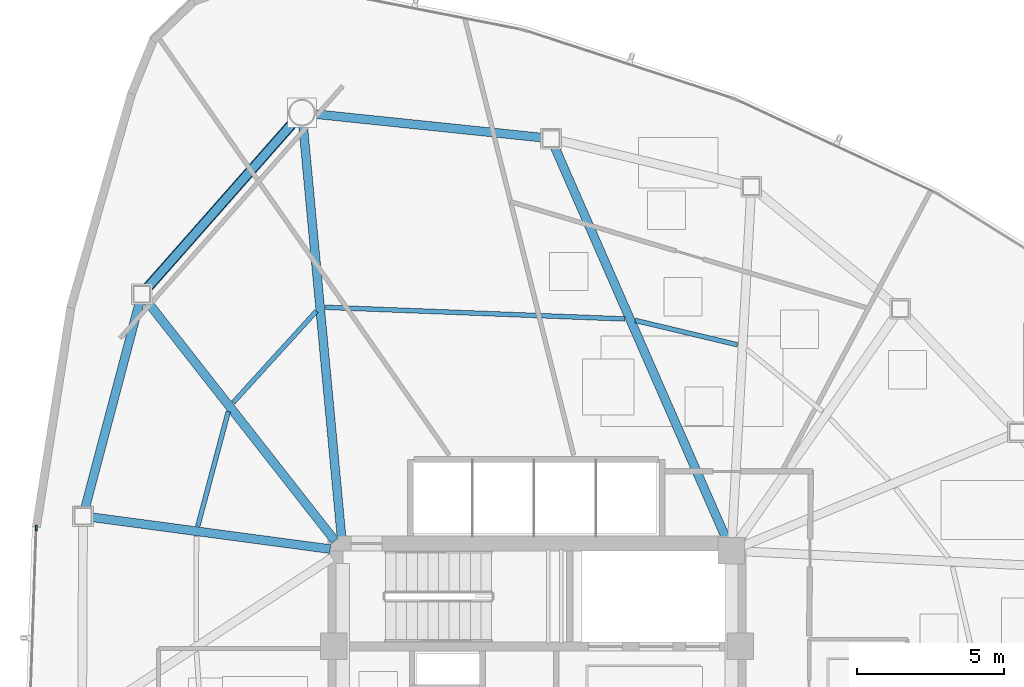
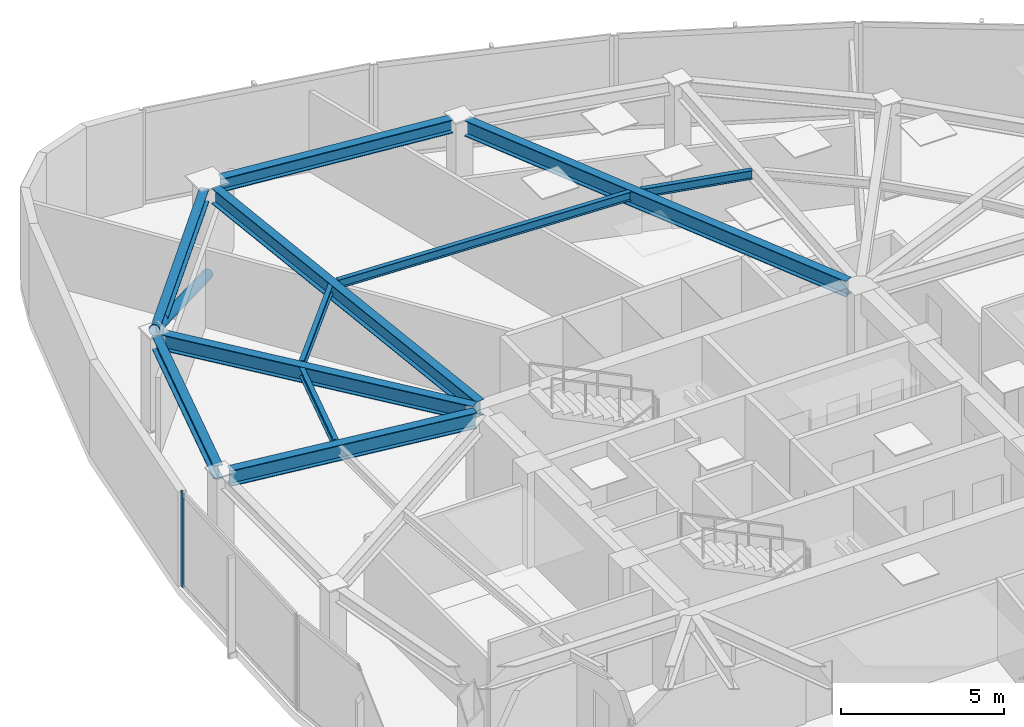
# One storey, part 7 of 17: 11 beams, 2 members, 1 element without a shape of its own.
"""IFC4 building model written with IfcOpenShell, lengths in metres."""

from ifc_helpers import new_model, si_unit, direction, frame, origin, origin_2d, place, context, subcontext, project, spatial, hollow_rectangle, hollow_circle, i_section, extrude, source, transform, mapped, material, layer, layer_set, material_profile, profile_set, type_object, type_shapes, element, aggregate, save


model = new_model("IFC4")

# Units and contexts
model_context = context("Model", 3, precision=1e-05, world=origin(), true_north=direction((0.0, 1.0)))
body_context = subcontext(model_context, "Body", "Model", "MODEL_VIEW")
ifc_project = project(units=[si_unit("LENGTHUNIT", "METRE"), si_unit("AREAUNIT", "SQUARE_METRE"), si_unit("VOLUMEUNIT", "CUBIC_METRE"), si_unit("PLANEANGLEUNIT", "RADIAN"), si_unit("MASSUNIT", "GRAM", prefix="KILO")], contexts=[model_context])

# Site, building, storey
site_placement = place(None, origin())
site = spatial("IfcSite", under=ifc_project, at=site_placement, CompositionType="ELEMENT")
building_placement = place(site_placement, origin())
building = spatial("IfcBuilding", under=site, at=building_placement, Name="Tavelor Broadcast Tower", CompositionType="ELEMENT")
storey_placement = place(building_placement, frame((0.0, 0.0, 165.64990234375)))
storey = spatial("IfcBuildingStorey", under=building, at=storey_placement, Name="L39", CompositionType="ELEMENT", Elevation=165.64990234375)

# Beams
ifc_material_1 = material(Name="Steel S355", Category="steel")
ifc_material_profile_1 = material_profile(ifc_material_1, i_section(OverallWidth=0.159912109375, OverallDepth=0.330078125, WebThickness=0.007568359375, FlangeThickness=0.011474609375, at=origin_2d()), Name="IPE 330")
ifc_profile_set_1 = profile_set([ifc_material_profile_1], Name="Steel S355")
beam_type_1 = type_object("IfcBeamType", Name="Composite Floor Joist T4 IPE 330", PredefinedType="JOIST", material=ifc_profile_set_1)
beam_1_placement = place(storey_placement, frame((42.505615234375, 59.343505859375, 3.385009765625), z_axis=(-0.672852052716, -0.739777071256, 0.0), x_axis=(0.739777071256, -0.672852052716, 0.0)))
element("IfcBeam", 1, at=beam_1_placement, inside=storey, type_object=beam_type_1, Name="L39 Secondary Composite Floor Joist 01", PredefinedType="JOIST", context=body_context, shape_type="SweptSolid", body=[
    extrude(i_section(OverallWidth=0.159912109375, OverallDepth=0.330078125, WebThickness=0.007568359375, FlangeThickness=0.011474609375, at=origin_2d()), origin(), (0.0, 0.0, 1.0), 4.202392578125),
])
beam_2_placement = place(storey_placement, frame((39.509521484375, 55.92578125, 3.385009765625), z_axis=(-0.256963595852, -0.966421083383, 0.0), x_axis=(0.966421083383, -0.256963595852, 0.0)))
element("IfcBeam", 2, at=beam_2_placement, inside=storey, type_object=beam_type_1, Name="L39 Secondary Composite Floor Joist 02", PredefinedType="JOIST", context=body_context, shape_type="SweptSolid", body=[
    extrude(i_section(OverallWidth=0.159912109375, OverallDepth=0.330078125, WebThickness=0.007568359375, FlangeThickness=0.011474609375, at=origin_2d()), origin(), (0.0, 0.0, 1.0), 4.021728515625),
])
beam_3_placement = place(storey_placement, frame((56.804443359375, 58.197021484375, 3.385009765625), z_axis=(-0.972674676245, 0.232172294196, 0.0), x_axis=(-0.232172294196, -0.972674676245, 0.0)))
element("IfcBeam", 3, at=beam_3_placement, inside=storey, type_object=beam_type_1, Name="L39 Secondary Composite Floor Joist 17", PredefinedType="JOIST", context=body_context, shape_type="SweptSolid", body=[
    extrude(i_section(OverallWidth=0.159912109375, OverallDepth=0.330078125, WebThickness=0.007568359375, FlangeThickness=0.011474609375, at=origin_2d()), origin(), (0.0, 0.0, 1.0), 3.56884765625),
])
beam_4_placement = place(storey_placement, frame((52.976318359375, 59.07470703125, 3.385009765625), z_axis=(-0.999243420365, 0.038891989637, 0.0), x_axis=(-0.038891989637, -0.999243420365, 0.0)))
element("IfcBeam", 4, at=beam_4_placement, inside=storey, type_object=beam_type_1, Name="L39 Secondary Composite Floor Joist 18", PredefinedType="JOIST", context=body_context, shape_type="SweptSolid", body=[
    extrude(i_section(OverallWidth=0.159912109375, OverallDepth=0.330078125, WebThickness=0.007568359375, FlangeThickness=0.011474609375, at=origin_2d()), origin(), (0.0, 0.0, 1.0), 10.17578125),
])
ifc_material_profile_2 = material_profile(ifc_material_1, i_section(OverallWidth=0.300048828125, OverallDepth=0.5, WebThickness=0.014404296875, FlangeThickness=0.028076171875, at=origin_2d()), Name="HEB 500")
ifc_profile_set_2 = profile_set([ifc_material_profile_2], Name="Steel S355")
beam_type_2 = type_object("IfcBeamType", Name="Perimeter Spandrel Beam T4 HEB 500", PredefinedType="SPANDREL", material=ifc_profile_set_2)
beam_5_placement = place(storey_placement, frame((41.720947265625, 65.7509765625, 3.300048828125), z_axis=(-0.661625943185, -0.749834055845, 0.0), x_axis=(0.749834055845, -0.661625943185, 0.0)))
element("IfcBeam", 5, at=beam_5_placement, inside=storey, type_object=beam_type_2, Name="L39 Framed-Tube Ring Spandrel 01", PredefinedType="SPANDREL", context=body_context, shape_type="SweptSolid", body=[
    extrude(i_section(OverallWidth=0.300048828125, OverallDepth=0.5, WebThickness=0.014404296875, FlangeThickness=0.028076171875, at=origin_2d()), origin(), (0.0, 0.0, 1.0), 7.500732421875),
])
beam_6_placement = place(storey_placement, frame((36.493896484375, 59.63232421875, 3.300048828125), z_axis=(-0.255762341211, -0.96673968824, 0.0), x_axis=(0.96673968824, -0.255762341211, 0.0)))
element("IfcBeam", 6, at=beam_6_placement, inside=storey, type_object=beam_type_2, Name="L39 Framed-Tube Ring Spandrel 02", PredefinedType="SPANDREL", context=body_context, shape_type="SweptSolid", body=[
    extrude(i_section(OverallWidth=0.300048828125, OverallDepth=0.5, WebThickness=0.014404296875, FlangeThickness=0.028076171875, at=origin_2d()), origin(), (0.0, 0.0, 1.0), 7.214599609375),
])
beam_7_placement = place(storey_placement, frame((50.18603515625, 65.23193359375, 3.300048828125), z_axis=(-0.99466284774, 0.103178579783, 0.0), x_axis=(-0.103178579783, -0.99466284774, 0.0)))
element("IfcBeam", 7, at=beam_7_placement, inside=storey, type_object=beam_type_2, Name="L39 Framed-Tube Ring Spandrel 18", PredefinedType="SPANDREL", context=body_context, shape_type="SweptSolid", body=[
    extrude(i_section(OverallWidth=0.300048828125, OverallDepth=0.5, WebThickness=0.014404296875, FlangeThickness=0.028076171875, at=origin_2d()), origin(), (0.0, 0.0, 1.0), 7.780029296875),
])

# Member
ifc_material_profile_3 = material_profile(ifc_material_1, hollow_circle(Radius=0.177734375, WallThickness=0.01611328125, at=origin_2d()), Name="CHS 355.6x16")
ifc_profile_set_3 = profile_set([ifc_material_profile_3], Name="Steel S355")
member_type_1 = type_object("IfcMemberType", Name="Perimeter Tube Brace T4 CHS 355.6x16", PredefinedType="BRACE", material=ifc_profile_set_3)
member_1_placement = place(storey_placement, frame((42.01123046875, 66.080078125, 0.0), z_axis=(-0.607484590691, -0.688484352459, 0.396171387776), x_axis=(0.74983872131, -0.661620655681, 0.0)))
element("IfcMember", 8, at=member_1_placement, inside=storey, type_object=member_type_1, Name="L39 Corner Tube Diagonal Brace 1", PredefinedType="BRACE", context=body_context, shape_type="SweptSolid", body=[
    extrude(hollow_circle(Radius=0.177734375, WallThickness=0.01611328125, at=origin_2d()), origin(), (0.0, 0.0, 1.0), 8.9609375),
])

# Beams
ifc_material_profile_4 = material_profile(ifc_material_1, i_section(OverallWidth=0.300048828125, OverallDepth=0.590087890625, WebThickness=0.012939453125, FlangeThickness=0.02490234375, at=origin_2d()), Name="HEA 600")
ifc_profile_set_4 = profile_set([ifc_material_profile_4], Name="Steel S355")
beam_type_3 = type_object("IfcBeamType", Name="Radial Floor Girder T4 HEA 600", PredefinedType="BEAM", material=ifc_profile_set_4)
beam_8_placement = place(storey_placement, frame((43.35986328125, 51.630126953125, 3.255126953125), z_axis=(-0.092926929372, 0.995672931136, 0.0), x_axis=(-0.995672931136, -0.092926929372, 0.0)))
element("IfcBeam", 9, at=beam_8_placement, inside=storey, type_object=beam_type_3, Name="L39 Radial Primary Floor Girder 01", PredefinedType="BEAM", context=body_context, shape_type="SweptSolid", body=[
    extrude(i_section(OverallWidth=0.300048828125, OverallDepth=0.590087890625, WebThickness=0.012939453125, FlangeThickness=0.02490234375, at=origin_2d()), origin(), (0.0, 0.0, 1.0), 14.073974609375),
])
beam_9_placement = place(storey_placement, frame((43.13330078125, 51.539794921875, 3.255126953125), z_axis=(-0.617155684101, 0.786841065007, 0.0), x_axis=(-0.786841065007, -0.617155684101, 0.0)))
element("IfcBeam", 10, at=beam_9_placement, inside=storey, type_object=beam_type_3, Name="L39 Radial Primary Floor Girder 02", PredefinedType="BEAM", context=body_context, shape_type="SweptSolid", body=[
    extrude(i_section(OverallWidth=0.300048828125, OverallDepth=0.590087890625, WebThickness=0.012939453125, FlangeThickness=0.02490234375, at=origin_2d()), origin(), (0.0, 0.0, 1.0), 10.3505859375),
])
beam_10_placement = place(storey_placement, frame((42.9716796875, 51.257080078125, 3.255126953125), z_axis=(-0.991183810809, 0.132493974169, 0.0), x_axis=(-0.132493974169, -0.991183810809, 0.0)))
element("IfcBeam", 11, at=beam_10_placement, inside=storey, type_object=beam_type_3, Name="L39 Radial Primary Floor Girder 03", PredefinedType="BEAM", context=body_context, shape_type="SweptSolid", body=[
    extrude(i_section(OverallWidth=0.300048828125, OverallDepth=0.590087890625, WebThickness=0.012939453125, FlangeThickness=0.02490234375, at=origin_2d()), origin(), (0.0, 0.0, 1.0), 8.183349609375),
])
beam_11_placement = place(storey_placement, frame((56.4267578125, 51.595703125, 3.255126953125), z_axis=(-0.4008997337, 0.916121937036, 0.0), x_axis=(-0.916121937036, -0.4008997337, 0.0)))
element("IfcBeam", 12, at=beam_11_placement, inside=storey, type_object=beam_type_3, Name="L39 Radial Primary Floor Girder 18", PredefinedType="BEAM", context=body_context, shape_type="SweptSolid", body=[
    extrude(i_section(OverallWidth=0.300048828125, OverallDepth=0.590087890625, WebThickness=0.012939453125, FlangeThickness=0.02490234375, at=origin_2d()), origin(), (0.0, 0.0, 1.0), 14.564453125),
])

# Curtain wall, member
ifc_material_2 = material(Name="Architectural Anodized Aluminium", Category="aluminium")
ifc_layer = layer(ifc_material_2, 0.18994140625)
ifc_layer_set = layer_set([ifc_layer], Name="Architectural Anodized Aluminium")
curtain_wall_type = type_object("IfcCurtainWallType", Name="Tower Mid-Zone Acoustic Curtain Wall CW03", PredefinedType="NOTDEFINED", material=ifc_layer_set)
curtain_wall_placement = place(storey_placement, origin())
curtain_wall = element("IfcCurtainWall", 13, at=curtain_wall_placement, inside=storey, type_object=curtain_wall_type, Name="L39 Curtain Wall CW03 Run 409", PredefinedType="NOTDEFINED")
ifc_material_profile_5 = material_profile(ifc_material_2, hollow_rectangle(XDim=0.068115234375, YDim=0.18994140625, WallThickness=0.02197265625, at=origin_2d()), Name="RHS 68x190x22")
ifc_profile_set_5 = profile_set([ifc_material_profile_5], Name="Architectural Anodized Aluminium")
member_type_2 = type_object("IfcMemberType", Name="CW03 Extruded Aluminium Mullion 68x190", PredefinedType="MULLION", material=ifc_profile_set_5)
shared_shape = source(origin(), body_context, "Body", "SweptSolid", [
    extrude(hollow_rectangle(XDim=0.068115234375, YDim=0.18994140625, WallThickness=0.02197265625, at=origin_2d()), origin(), (0.0, 0.0, 1.0), 3.550048828125),
])
type_shapes(member_type_2, [shared_shape])
member_2_placement = place(storey_placement, frame((32.986572265625, 51.97021484375, 0.0), z_axis=(0.0, 0.0, 1.0), x_axis=(0.99940577882, -0.034468670714, 0.0)))
member_2 = element("IfcMember", 14, at=member_2_placement, type_object=member_type_2, Name="CW03 mullion 1", PredefinedType="MULLION", context=body_context, shape_type="MappedRepresentation", body=[
    mapped(shared_shape, transform((0.0, 0.0, 0.0), scale=1.0)),
])
aggregate(curtain_wall, [member_2])

save(model, "model.ifc")
